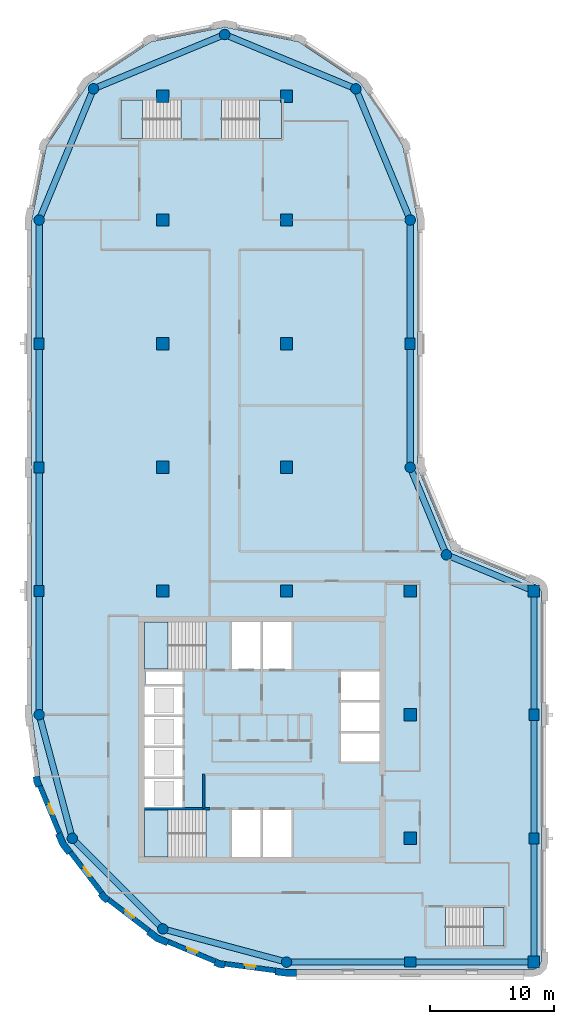
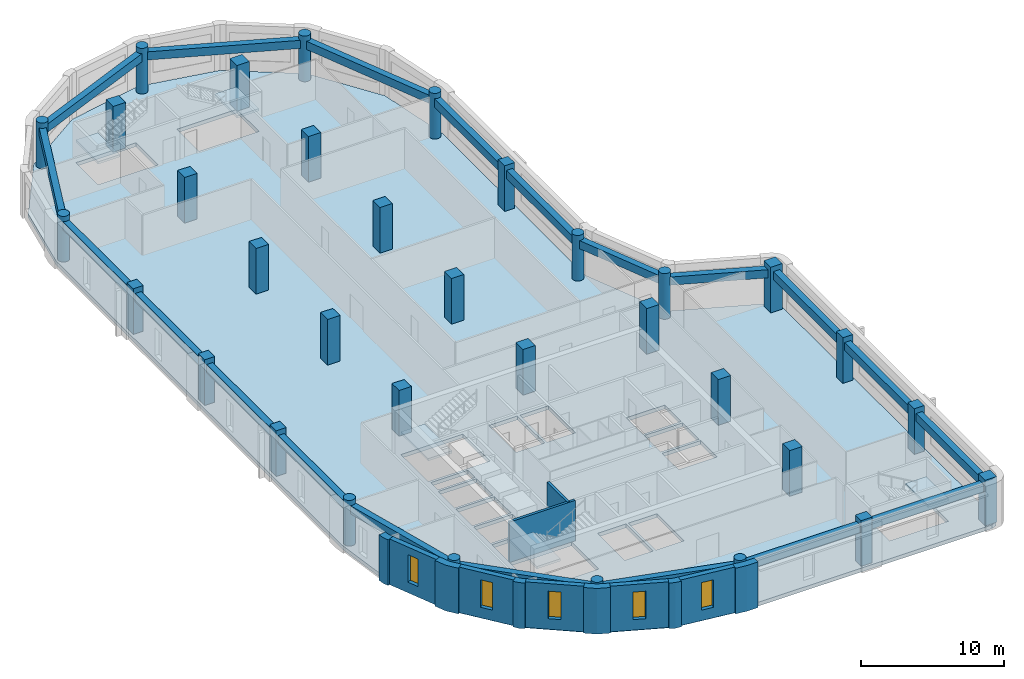
# One storey, part 1 of 8: 33 columns, 20 beams, 13 walls, 6 slabs, 5 windows, 5 openings, 5 elements without a shape of their own.
"""IFC4 building model written with IfcOpenShell, lengths in metres."""

from ifc_helpers import new_model, si_unit, direction, frame, frame_2d, origin, origin_2d, place, context, subcontext, project, spatial, polyline, rectangle, circle, outline, extrude, material, layer, layer_set, material_profile, profile_set, type_object, element, fill, aggregate, save


model = new_model("IFC4")

# Units and contexts
model_context = context("Model", 3, precision=1e-05, world=origin(), true_north=direction((0.0, 1.0)))
body_context = subcontext(model_context, "Body", "Model", "MODEL_VIEW")
ifc_project = project(units=[si_unit("LENGTHUNIT", "METRE"), si_unit("AREAUNIT", "SQUARE_METRE"), si_unit("VOLUMEUNIT", "CUBIC_METRE"), si_unit("PLANEANGLEUNIT", "RADIAN"), si_unit("MASSUNIT", "GRAM", prefix="KILO")], contexts=[model_context])

# Site, building, storey
site_placement = place(None, origin())
site = spatial("IfcSite", under=ifc_project, at=site_placement, CompositionType="ELEMENT")
building_placement = place(site_placement, origin())
building = spatial("IfcBuilding", under=site, at=building_placement, Name="Qaws Garden Tower", CompositionType="ELEMENT")
storey_placement = place(building_placement, frame((0.0, 0.0, 348.89990234375)))
storey = spatial("IfcBuildingStorey", under=building, at=storey_placement, Name="L85", CompositionType="ELEMENT", Elevation=348.89990234375)

# Columns
ifc_material_1 = material(Name="Concrete C60", Category="concrete")
ifc_material_profile_1 = material_profile(ifc_material_1, rectangle(XDim=1.0, YDim=1.0, at=origin_2d()), Name="RC 1000x1000")
ifc_profile_set_1 = profile_set([ifc_material_profile_1], Name="Concrete C60")
column_type_1 = type_object("IfcColumnType", Name="Column RC 1000x1000 C60", PredefinedType="COLUMN", material=ifc_profile_set_1)
for number, where, z_axis, x_axis, name in (
    (1, (10.0, 30.0, 0.0), (0.0, 0.0, 1.0), (1.0, 0.0, 0.0), "Column L85-021"),
    (2, (10.0, 40.0, 0.0), (0.0, 0.0, 1.0), (1.0, 0.0, 0.0), "Column L85-022"),
    (3, (10.0, 50.0, 0.0), (0.0, 0.0, 1.0), (1.0, 0.0, 0.0), "Column L85-023"),
    (4, (10.0, 60.0, 0.0), (0.0, 0.0, 1.0), (1.0, 0.0, 0.0), "Column L85-024"),
    (5, (10.0, 70.0, 0.0), (0.0, 0.0, 1.0), (1.0, 0.0, 0.0), "Column L85-025"),
    (6, (20.0, 30.0, 0.0), (0.0, 0.0, 1.0), (1.0, 0.0, 0.0), "Column L85-026"),
    (7, (20.0, 40.0, 0.0), (0.0, 0.0, 1.0), (1.0, 0.0, 0.0), "Column L85-027"),
    (8, (20.0, 50.0, 0.0), (0.0, 0.0, 1.0), (1.0, 0.0, 0.0), "Column L85-028"),
    (9, (20.0, 60.0, 0.0), (0.0, 0.0, 1.0), (1.0, 0.0, 0.0), "Column L85-029"),
    (10, (20.0, 70.0, 0.0), (0.0, 0.0, 1.0), (1.0, 0.0, 0.0), "Column L85-030"),
    (11, (30.0, 10.0, 0.0), (0.0, 0.0, 1.0), (1.0, 0.0, 0.0), "Column L85-031"),
    (12, (30.0, 20.0, 0.0), (0.0, 0.0, 1.0), (1.0, 0.0, 0.0), "Column L85-032"),
    (13, (30.0, 30.0, 0.0), (0.0, 0.0, 1.0), (1.0, 0.0, 0.0), "Column L85-033"),
):
    element("IfcColumn", number, at=place(storey_placement, frame(where, z_axis=z_axis, x_axis=x_axis)), inside=storey, type_object=column_type_1, Name=name, PredefinedType="COLUMN", context=body_context, shape_type="SweptSolid", body=[
        extrude(rectangle(XDim=1.0, YDim=1.0, at=origin_2d()), origin(), (0.0, 0.0, 1.0), 3.900146484375),
    ])
ifc_material_2 = material(Name="Concrete C60", Category="concrete")
ifc_material_profile_2 = material_profile(ifc_material_2, rectangle(XDim=0.89990234375, YDim=0.800048828125, at=origin_2d()), Name="RC 900x800")
ifc_profile_set_2 = profile_set([ifc_material_profile_2], Name="Concrete C60")
column_type_2 = type_object("IfcColumnType", Name="Column RC 900x800 C60", PredefinedType="COLUMN", material=ifc_profile_set_2)
for number, where, z_axis, x_axis, name in (
    (14, (30.0, 0.0, 0.0), (0.0, 0.0, 1.0), (1.0, 0.0, 0.0), "Column L85-002"),
    (15, (40.0, 10.0, 0.0), (0.0, 0.0, 1.0), (0.0, 1.0, 0.0), "Column L85-004"),
    (16, (40.0, 20.0, 0.0), (0.0, 0.0, 1.0), (0.0, 1.0, 0.0), "Column L85-005"),
    (17, (30.0, 50.0, 0.0), (0.0, 0.0, 1.0), (0.0, 1.0, 0.0), "Column L85-009"),
    (18, (0.0, 50.0, 0.0), (0.0, 0.0, 1.0), (0.0, 1.0, 0.0), "Column L85-015"),
    (19, (0.0, 40.0, 0.0), (0.0, 0.0, 1.0), (0.0, 1.0, 0.0), "Column L85-016"),
    (20, (0.0, 30.0, 0.0), (0.0, 0.0, 1.0), (0.0, 1.0, 0.0), "Column L85-017"),
):
    element("IfcColumn", number, at=place(storey_placement, frame(where, z_axis=z_axis, x_axis=x_axis)), inside=storey, type_object=column_type_2, Name=name, PredefinedType="COLUMN", context=body_context, shape_type="SweptSolid", body=[
        extrude(rectangle(XDim=0.89990234375, YDim=0.800048828125, at=origin_2d()), origin(), (0.0, 0.0, 1.0), 3.900146484375),
    ])
ifc_material_3 = material(Name="Concrete C60", Category="concrete")
ifc_material_profile_3 = material_profile(ifc_material_3, rectangle(XDim=0.949951171875, YDim=0.949951171875, at=origin_2d()), Name="RC 950x950")
ifc_profile_set_3 = profile_set([ifc_material_profile_3], Name="Concrete C60")
column_type_3 = type_object("IfcColumnType", Name="Column RC 950x950 C60", PredefinedType="COLUMN", material=ifc_profile_set_3)
for number, where, z_axis, x_axis, name in (
    (21, (40.0, 0.0, 0.0), (0.0, 0.0, 1.0), (1.0, 0.0, 0.0), "Column L85-003"),
    (22, (40.0, 30.0, 0.0), (0.0, 0.0, 1.0), (1.0, 0.0, 0.0), "Column L85-006"),
):
    element("IfcColumn", number, at=place(storey_placement, frame(where, z_axis=z_axis, x_axis=x_axis)), inside=storey, type_object=column_type_3, Name=name, PredefinedType="COLUMN", context=body_context, shape_type="SweptSolid", body=[
        extrude(rectangle(XDim=0.949951171875, YDim=0.949951171875, at=origin_2d()), origin(), (0.0, 0.0, 1.0), 3.900146484375),
    ])
ifc_material_4 = material(Name="Concrete C60", Category="concrete")
ifc_material_profile_4 = material_profile(ifc_material_4, circle(Radius=0.425048828125, at=origin_2d()), Name="RC D850")
ifc_profile_set_4 = profile_set([ifc_material_profile_4], Name="Concrete C60")
column_type_4 = type_object("IfcColumnType", Name="Column RC D850 C60", PredefinedType="COLUMN", material=ifc_profile_set_4)
for number, where, z_axis, x_axis, name in (
    (23, (20.0, 0.0, 0.0), (0.0, 0.0, 1.0), (1.0, 0.0, 0.0), "Column L85-001"),
    (24, (32.928955078125, 32.928955078125, 0.0), (0.0, 0.0, 1.0), (1.0, 0.0, 0.0), "Column L85-007"),
    (25, (30.0, 40.0, 0.0), (0.0, 0.0, 1.0), (1.0, 0.0, 0.0), "Column L85-008"),
    (26, (30.0, 60.0, 0.0), (0.0, 0.0, 1.0), (1.0, 0.0, 0.0), "Column L85-010"),
    (27, (25.606689453125, 70.606689453125, 0.0), (0.0, 0.0, 1.0), (1.0, 0.0, 0.0), "Column L85-011"),
    (28, (15.0, 75.0, 0.0), (0.0, 0.0, 1.0), (1.0, 0.0, 0.0), "Column L85-012"),
    (29, (4.393310546875, 70.606689453125, 0.0), (0.0, 0.0, 1.0), (1.0, 0.0, 0.0), "Column L85-013"),
    (30, (0.0, 60.0, 0.0), (0.0, 0.0, 1.0), (1.0, 0.0, 0.0), "Column L85-014"),
    (31, (0.0, 20.0, 0.0), (0.0, 0.0, 1.0), (1.0, 0.0, 0.0), "Column L85-018"),
    (32, (2.679443359375, 10.0, 0.0), (0.0, 0.0, 1.0), (1.0, 0.0, 0.0), "Column L85-019"),
    (33, (10.0, 2.679443359375, 0.0), (0.0, 0.0, 1.0), (1.0, 0.0, 0.0), "Column L85-020"),
):
    element("IfcColumn", number, at=place(storey_placement, frame(where, z_axis=z_axis, x_axis=x_axis)), inside=storey, type_object=column_type_4, Name=name, PredefinedType="COLUMN", context=body_context, shape_type="SweptSolid", body=[
        extrude(circle(Radius=0.425048828125, at=origin_2d()), origin(), (0.0, 0.0, 1.0), 3.900146484375),
    ])

# Beams
ifc_material_5 = material(Name="Concrete C45", Category="concrete")
ifc_material_profile_5 = material_profile(ifc_material_5, rectangle(XDim=0.5, YDim=0.699951171875, at=origin_2d()), Name="RC 500x700")
ifc_profile_set_5 = profile_set([ifc_material_profile_5], Name="Concrete C45")
beam_type = type_object("IfcBeamType", Name="Spandrel beam RC 500x700 C45", PredefinedType="SPANDREL", material=ifc_profile_set_5)
for number, where, z_axis, x_axis, name in (
    (34, (20.0, 0.0, 3.10009765625), (1.0, 0.0, 0.0), (0.0, 1.0, 0.0), "Spandrel beam L85-001"),
    (35, (30.0, 0.0, 3.10009765625), (1.0, 0.0, 0.0), (0.0, 1.0, 0.0), "Spandrel beam L85-002"),
    (36, (40.0, 0.0, 3.10009765625), (0.0, 1.0, 0.0), (-1.0, 0.0, 0.0), "Spandrel beam L85-003"),
    (37, (40.0, 10.0, 3.10009765625), (0.0, 1.0, 0.0), (-1.0, 0.0, 0.0), "Spandrel beam L85-004"),
    (38, (40.0, 20.0, 3.10009765625), (0.0, 1.0, 0.0), (-1.0, 0.0, 0.0), "Spandrel beam L85-005"),
):
    element("IfcBeam", number, at=place(storey_placement, frame(where, z_axis=z_axis, x_axis=x_axis)), inside=storey, type_object=beam_type, Name=name, PredefinedType="SPANDREL", context=body_context, shape_type="SweptSolid", body=[
        extrude(rectangle(XDim=0.5, YDim=0.699951171875, at=origin_2d()), origin(), (0.0, 0.0, 1.0), 10.0),
    ])
for number, where, z_axis, x_axis, name in (
    (39, (40.0, 30.0, 3.10009765625), (-0.923878037141, 0.382687042488, 0.0), (-0.382687042488, -0.923878037141, 0.0), "Spandrel beam L85-006"),
    (40, (32.928955078125, 32.928955078125, 3.10009765625), (-0.382687042488, 0.923878037141, 0.0), (-0.923878037141, -0.382687042488, 0.0), "Spandrel beam L85-007"),
):
    element("IfcBeam", number, at=place(storey_placement, frame(where, z_axis=z_axis, x_axis=x_axis)), inside=storey, type_object=beam_type, Name=name, PredefinedType="SPANDREL", context=body_context, shape_type="SweptSolid", body=[
        extrude(rectangle(XDim=0.5, YDim=0.699951171875, at=origin_2d()), origin(), (0.0, 0.0, 1.0), 7.653564453125),
    ])
for number, where, z_axis, x_axis, name in (
    (41, (30.0, 40.0, 3.10009765625), (0.0, 1.0, 0.0), (-1.0, 0.0, 0.0), "Spandrel beam L85-008"),
    (42, (30.0, 50.0, 3.10009765625), (0.0, 1.0, 0.0), (-1.0, 0.0, 0.0), "Spandrel beam L85-009"),
):
    element("IfcBeam", number, at=place(storey_placement, frame(where, z_axis=z_axis, x_axis=x_axis)), inside=storey, type_object=beam_type, Name=name, PredefinedType="SPANDREL", context=body_context, shape_type="SweptSolid", body=[
        extrude(rectangle(XDim=0.5, YDim=0.699951171875, at=origin_2d()), origin(), (0.0, 0.0, 1.0), 10.0),
    ])
for number, where, z_axis, x_axis, name in (
    (43, (30.0, 60.0, 3.10009765625), (-0.382674207535, 0.923883353507, 0.0), (-0.923883353507, -0.382674207535, 0.0), "Spandrel beam L85-010"),
    (44, (25.606689453125, 70.606689453125, 3.10009765625), (-0.923883353507, 0.382674207535, 0.0), (-0.382674207535, -0.923883353507, 0.0), "Spandrel beam L85-011"),
    (45, (15.0, 75.0, 3.10009765625), (-0.923883353507, -0.382674207535, 0.0), (0.382674207535, -0.923883353507, 0.0), "Spandrel beam L85-012"),
    (46, (4.393310546875, 70.606689453125, 3.10009765625), (-0.382674207535, -0.923883353507, 0.0), (0.923883353507, -0.382674207535, 0.0), "Spandrel beam L85-013"),
):
    element("IfcBeam", number, at=place(storey_placement, frame(where, z_axis=z_axis, x_axis=x_axis)), inside=storey, type_object=beam_type, Name=name, PredefinedType="SPANDREL", context=body_context, shape_type="SweptSolid", body=[
        extrude(rectangle(XDim=0.5, YDim=0.699951171875, at=origin_2d()), origin(), (0.0, 0.0, 1.0), 11.48046875),
    ])
for number, where, z_axis, x_axis, name in (
    (47, (0.0, 60.0, 3.10009765625), (0.0, -1.0, 0.0), (1.0, 0.0, 0.0), "Spandrel beam L85-014"),
    (48, (0.0, 50.0, 3.10009765625), (0.0, -1.0, 0.0), (1.0, 0.0, 0.0), "Spandrel beam L85-015"),
    (49, (0.0, 40.0, 3.10009765625), (0.0, -1.0, 0.0), (1.0, 0.0, 0.0), "Spandrel beam L85-016"),
    (50, (0.0, 30.0, 3.10009765625), (0.0, -1.0, 0.0), (1.0, 0.0, 0.0), "Spandrel beam L85-017"),
):
    element("IfcBeam", number, at=place(storey_placement, frame(where, z_axis=z_axis, x_axis=x_axis)), inside=storey, type_object=beam_type, Name=name, PredefinedType="SPANDREL", context=body_context, shape_type="SweptSolid", body=[
        extrude(rectangle(XDim=0.5, YDim=0.699951171875, at=origin_2d()), origin(), (0.0, 0.0, 1.0), 10.0),
    ])
for number, where, z_axis, x_axis, name in (
    (51, (0.0, 20.0, 3.10009765625), (0.25881466832, -0.965926999034, 0.0), (0.965926999034, 0.25881466832, 0.0), "Spandrel beam L85-018"),
    (52, (2.679443359375, 10.0, 3.10009765625), (0.707106781187, -0.707106781187, 0.0), (0.707106781187, 0.707106781187, 0.0), "Spandrel beam L85-019"),
    (53, (10.0, 2.679443359375, 3.10009765625), (0.965926999034, -0.25881466832, 0.0), (0.25881466832, 0.965926999034, 0.0), "Spandrel beam L85-020"),
):
    element("IfcBeam", number, at=place(storey_placement, frame(where, z_axis=z_axis, x_axis=x_axis)), inside=storey, type_object=beam_type, Name=name, PredefinedType="SPANDREL", context=body_context, shape_type="SweptSolid", body=[
        extrude(rectangle(XDim=0.5, YDim=0.699951171875, at=origin_2d()), origin(), (0.0, 0.0, 1.0), 10.352783203125),
    ])

# Slab
ifc_material_6 = material(Name="Concrete C40", Category="concrete")
ifc_layer_1 = layer(ifc_material_6, 0.320068359375)
ifc_layer_set_1 = layer_set([ifc_layer_1], Name="Concrete C40")
slab_type_1 = type_object("IfcSlabType", Name="Floor slab 320 C40", PredefinedType="FLOOR", material=ifc_layer_set_1)
slab_1_placement = place(storey_placement, frame((0.0, 0.0, -0.31982421875)))
element("IfcSlab", 54, at=slab_1_placement, inside=storey, type_object=slab_type_1, Name="Floor slab L85", PredefinedType="FLOOR", context=body_context, shape_type="SweptSolid", body=[
    extrude(outline(polyline([(0.101806640625, 14.668212890625), (-0.60009765625, 20.0), (-0.60009765625, 30.60009765625), (-0.60009765625, 60.0), (-0.60009765625, 60.0), (0.58740234375, 65.969970703125), (3.968994140625, 71.031005859375), (9.030029296875, 74.41259765625), (15.0, 75.60009765625), (20.969970703125, 74.41259765625), (26.031005859375, 71.031005859375), (29.41259765625, 65.969970703125), (30.60009765625, 60.0), (30.60009765625, 40.0), (33.353271484375, 33.353271484375), (40.0, 30.60009765625), (40.42431640625, 30.42431640625), (40.60009765625, 30.0), (40.60009765625, 0.0), (40.42431640625, -0.42431640625), (40.0, -0.60009765625), (30.60009765625, -0.60009765625), (20.0, -0.60009765625), (14.668212890625, 0.101806640625), (9.699951171875, 2.159912109375), (5.43359375, 5.43359375), (2.159912109375, 9.699951171875), (0.101806640625, 14.668212890625)]), holes=[polyline([(13.49951171875, 12.300048828125), (8.5, 12.300048828125), (8.5, 8.5), (13.49951171875, 8.5), (13.49951171875, 12.300048828125)]), polyline([(17.89990234375, 12.300048828125), (15.60009765625, 12.300048828125), (15.60009765625, 8.5), (17.89990234375, 8.5), (17.89990234375, 12.300048828125)]), polyline([(11.60009765625, 14.800048828125), (8.5, 14.800048828125), (8.5, 12.5), (11.60009765625, 12.5), (11.60009765625, 14.800048828125)]), polyline([(11.60009765625, 17.300048828125), (8.5, 17.300048828125), (8.5, 15.0), (11.60009765625, 15.0), (11.60009765625, 17.300048828125)]), polyline([(11.60009765625, 19.800048828125), (8.5, 19.800048828125), (8.5, 17.5), (11.60009765625, 17.5), (11.60009765625, 19.800048828125)]), polyline([(11.60009765625, 22.300048828125), (8.5, 22.300048828125), (8.5, 20.0), (11.60009765625, 20.0), (11.60009765625, 22.300048828125)]), polyline([(11.60009765625, 23.5), (8.60009765625, 23.5), (8.60009765625, 22.5), (11.60009765625, 22.5), (11.60009765625, 23.5)]), polyline([(13.49951171875, 27.5), (8.5, 27.5), (8.5, 23.699951171875), (13.49951171875, 23.699951171875), (13.49951171875, 27.5)]), polyline([(11.449462890625, 69.699951171875), (6.60009765625, 69.699951171875), (6.60009765625, 66.60009765625), (11.449462890625, 66.60009765625), (11.449462890625, 69.699951171875)]), polyline([(37.60009765625, 4.39990234375), (32.8505859375, 4.39990234375), (32.8505859375, 1.300048828125), (37.60009765625, 1.300048828125), (37.60009765625, 4.39990234375)]), polyline([(20.39990234375, 12.300048828125), (18.10009765625, 12.300048828125), (18.10009765625, 8.5), (20.39990234375, 8.5), (20.39990234375, 12.300048828125)]), polyline([(27.5, 18.5), (24.39990234375, 18.5), (24.39990234375, 16.199951171875), (27.5, 16.199951171875), (27.5, 18.5)]), polyline([(27.5, 21.0), (24.39990234375, 21.0), (24.39990234375, 18.699951171875), (27.5, 18.699951171875), (27.5, 21.0)]), polyline([(27.5, 23.5), (24.39990234375, 23.5), (24.39990234375, 21.199951171875), (27.5, 21.199951171875), (27.5, 23.5)]), polyline([(17.89990234375, 27.5), (15.60009765625, 27.5), (15.60009765625, 23.699951171875), (17.89990234375, 23.699951171875), (17.89990234375, 27.5)]), polyline([(20.39990234375, 23.699951171875), (20.39990234375, 27.5), (18.10009765625, 27.5), (18.10009765625, 23.699951171875), (20.39990234375, 23.699951171875)]), polyline([(19.60009765625, 66.60009765625), (19.60009765625, 69.699951171875), (14.75048828125, 69.699951171875), (14.75048828125, 66.60009765625), (19.60009765625, 66.60009765625)])]), origin(), (0.0, 0.0, 1.0), 0.31982421875),
])

# Stair, slab
ifc_material_7 = material(Name="Concrete C40", Category="concrete")
stair_type_1 = type_object("IfcStairType", Name="Exit stair 1500", PredefinedType="HALF_TURN_STAIR", material=ifc_material_7)
placement_1 = place(storey_placement, origin())
stair_1 = element("IfcStair", 55, at=placement_1, inside=storey, type_object=stair_type_1, Name="Stair 1", PredefinedType="HALF_TURN_STAIR")
ifc_material_8 = material(Name="Concrete C40", Category="concrete")
ifc_layer_2 = layer(ifc_material_8, 0.199951171875)
ifc_layer_set_2 = layer_set([ifc_layer_2], Name="Concrete C40")
slab_type_2 = type_object("IfcSlabType", Name="Stair landing 200", PredefinedType="LANDING", material=ifc_layer_set_2)
placement_2 = place(storey_placement, frame((0.0, 0.0, 1.75)))
slab_2 = element("IfcSlab", 56, at=placement_2, type_object=slab_type_2, Name="ST1 landing 1", PredefinedType="LANDING", context=body_context, shape_type="SweptSolid", body=[
    extrude(outline(polyline([(8.5, 8.5), (10.419921875, 8.5), (10.419921875, 12.300048828125), (8.5, 12.300048828125), (8.5, 8.5)])), origin(), (0.0, 0.0, 1.0), 0.2001953125),
])
aggregate(stair_1, [slab_2])

stair_2 = element("IfcStair", 57, at=placement_1, inside=storey, type_object=stair_type_1, Name="Stair 4", PredefinedType="HALF_TURN_STAIR")
slab_3 = element("IfcSlab", 58, at=placement_2, type_object=slab_type_2, Name="ST4 landing 1", PredefinedType="LANDING", context=body_context, shape_type="SweptSolid", body=[
    extrude(outline(polyline([(8.5, 23.699951171875), (10.419921875, 23.699951171875), (10.419921875, 27.5), (8.5, 27.5), (8.5, 23.699951171875)])), origin(), (0.0, 0.0, 1.0), 0.2001953125),
])
aggregate(stair_2, [slab_3])

ifc_material_9 = material(Name="Concrete C40", Category="concrete")
stair_type_2 = type_object("IfcStairType", Name="Exit stair 1350", PredefinedType="HALF_TURN_STAIR", material=ifc_material_9)
stair_3 = element("IfcStair", 59, at=placement_1, inside=storey, type_object=stair_type_2, Name="Stair 5", PredefinedType="HALF_TURN_STAIR")
slab_4 = element("IfcSlab", 60, at=placement_2, type_object=slab_type_2, Name="ST5 landing 1", PredefinedType="LANDING", context=body_context, shape_type="SweptSolid", body=[
    extrude(outline(polyline([(35.929931640625, 1.300048828125), (37.60009765625, 1.300048828125), (37.60009765625, 4.39990234375), (35.929931640625, 4.39990234375), (35.929931640625, 1.300048828125)])), origin(), (0.0, 0.0, 1.0), 0.2001953125),
])
aggregate(stair_3, [slab_4])

stair_4 = element("IfcStair", 61, at=placement_1, inside=storey, type_object=stair_type_2, Name="Stair 6", PredefinedType="HALF_TURN_STAIR")
slab_5 = element("IfcSlab", 62, at=placement_2, type_object=slab_type_2, Name="ST6 landing 1", PredefinedType="LANDING", context=body_context, shape_type="SweptSolid", body=[
    extrude(outline(polyline([(6.60009765625, 66.60009765625), (8.3701171875, 66.60009765625), (8.3701171875, 69.699951171875), (6.60009765625, 69.699951171875), (6.60009765625, 66.60009765625)])), origin(), (0.0, 0.0, 1.0), 0.2001953125),
])
aggregate(stair_4, [slab_5])

stair_5 = element("IfcStair", 63, at=placement_1, inside=storey, type_object=stair_type_2, Name="Stair 7", PredefinedType="HALF_TURN_STAIR")
slab_6 = element("IfcSlab", 64, at=placement_2, type_object=slab_type_2, Name="ST7 landing 1", PredefinedType="LANDING", context=body_context, shape_type="SweptSolid", body=[
    extrude(outline(polyline([(17.830078125, 66.60009765625), (19.60009765625, 66.60009765625), (19.60009765625, 69.699951171875), (17.830078125, 69.699951171875), (17.830078125, 66.60009765625)])), origin(), (0.0, 0.0, 1.0), 0.2001953125),
])
aggregate(stair_5, [slab_6])

# Wall, opening, window
ifc_material_10 = material(Name="Buff clay facing brick masonry", Category="masonry")
ifc_layer_3 = layer(ifc_material_10, 0.39990234375)
ifc_layer_set_3 = layer_set([ifc_layer_3], Name="Buff clay facing brick masonry")
wall_type_1 = type_object("IfcWallType", Name="Buff brick infill wall 400", PredefinedType="SOLIDWALL", material=ifc_layer_set_3)
wall_1_placement = place(storey_placement, frame((0.05712890625, 14.240234375, 0.0), z_axis=(0.0, 0.0, 1.0), x_axis=(0.382721546029, -0.923863744394, 0.0)))
wall_1 = element("IfcWall", 65, at=wall_1_placement, inside=storey, type_object=wall_type_1, Name="E-L85-infill-22", PredefinedType="SOLIDWALL", context=body_context, shape_type="SweptSolid", body=[
    extrude(rectangle(XDim=4.120849609375, YDim=0.39990234375, at=frame_2d((2.060546875, 0.0))), origin(), (0.0, 0.0, 1.0), 3.900146484375),
])
opening_1_placement = place(wall_1_placement, frame((1.610595703125, 0.0, 0.89990234375)))
opening_1 = element("IfcOpeningElement", 66, at=opening_1_placement, cuts=wall_1, Name="Opening W09", PredefinedType="OPENING", context=body_context, shape_type="SweptSolid", body=[
    extrude(rectangle(XDim=0.89990234375, YDim=2.35009765625, at=frame_2d((0.449951171875, 1.175048828125))), frame((0.0, 0.2099609375, 0.0), z_axis=(0.0, -1.0, 0.0), x_axis=(1.0, 0.0, 0.0)), (0.0, 0.0, 1.0), 0.419921875),
])
ifc_material_11 = material(Name="Aluminium framed window, clear glazing", Category="aluminium")
window_type = type_object("IfcWindowType", Name="Slit window 900 x 2350", PartitioningType="SINGLE_PANEL", PredefinedType="WINDOW", material=ifc_material_11)
window_1_placement = place(opening_1_placement, origin())
window_1 = element("IfcWindow", 67, at=window_1_placement, inside=storey, type_object=window_type, Name="E-L85-window-22-0", OverallHeight=2.35009765625, OverallWidth=0.89990234375, PartitioningType="SINGLE_PANEL", PredefinedType="WINDOW", context=body_context, shape_type="SweptSolid", body=[
    extrude(rectangle(XDim=0.89990234375, YDim=2.35009765625, at=frame_2d((0.449951171875, 1.175048828125))), frame((0.0, 0.159912109375, 0.0), z_axis=(0.0, -1.0, 0.0), x_axis=(1.0, 0.0, 0.0)), (0.0, 0.0, 1.0), 0.06005859375),
])
fill(opening_1, window_1)

wall_2_placement = place(storey_placement, frame((2.53173828125, 8.87841796875, 0.0), z_axis=(0.0, 0.0, 1.0), x_axis=(0.608759824817, -0.793354571229, 0.0)))
wall_2 = element("IfcWall", 68, at=wall_2_placement, inside=storey, type_object=wall_type_1, Name="E-L85-infill-23", PredefinedType="SOLIDWALL", context=body_context, shape_type="SweptSolid", body=[
    extrude(rectangle(XDim=4.12109375, YDim=0.39990234375, at=frame_2d((2.060546875, 0.0))), origin(), (0.0, 0.0, 1.0), 3.900146484375),
])
opening_2_placement = place(wall_2_placement, frame((1.610595703125, 0.0, 0.89990234375)))
opening_2 = element("IfcOpeningElement", 69, at=opening_2_placement, cuts=wall_2, Name="Opening W09", PredefinedType="OPENING", context=body_context, shape_type="SweptSolid", body=[
    extrude(rectangle(XDim=0.89990234375, YDim=2.35009765625, at=frame_2d((0.449951171875, 1.175048828125))), frame((0.0, 0.2099609375, 0.0), z_axis=(0.0, -1.0, 0.0), x_axis=(1.0, 0.0, 0.0)), (0.0, 0.0, 1.0), 0.419921875),
])
window_2_placement = place(opening_2_placement, origin())
window_2 = element("IfcWindow", 70, at=window_2_placement, inside=storey, type_object=window_type, Name="E-L85-window-23-0", OverallHeight=2.35009765625, OverallWidth=0.89990234375, PartitioningType="SINGLE_PANEL", PredefinedType="WINDOW", context=body_context, shape_type="SweptSolid", body=[
    extrude(rectangle(XDim=0.89990234375, YDim=2.35009765625, at=frame_2d((0.449951171875, 1.175048828125))), frame((0.0, 0.159912109375, 0.0), z_axis=(0.0, -1.0, 0.0), x_axis=(1.0, 0.0, 0.0)), (0.0, 0.0, 1.0), 0.06005859375),
])
fill(opening_2, window_2)

wall_3_placement = place(storey_placement, frame((5.60888671875, 5.04052734375, 0.0), z_axis=(0.0, 0.0, 1.0), x_axis=(0.793354571229, -0.608759824817, 0.0)))
wall_3 = element("IfcWall", 71, at=wall_3_placement, inside=storey, type_object=wall_type_1, Name="E-L85-infill-24", PredefinedType="SOLIDWALL", context=body_context, shape_type="SweptSolid", body=[
    extrude(rectangle(XDim=4.12109375, YDim=0.39990234375, at=frame_2d((2.060546875, 0.0))), origin(), (0.0, 0.0, 1.0), 3.900146484375),
])
opening_3_placement = place(wall_3_placement, frame((1.610595703125, 0.0, 0.89990234375)))
opening_3 = element("IfcOpeningElement", 72, at=opening_3_placement, cuts=wall_3, Name="Opening W09", PredefinedType="OPENING", context=body_context, shape_type="SweptSolid", body=[
    extrude(rectangle(XDim=0.89990234375, YDim=2.35009765625, at=frame_2d((0.449951171875, 1.175048828125))), frame((0.0, 0.2099609375, 0.0), z_axis=(0.0, -1.0, 0.0), x_axis=(1.0, 0.0, 0.0)), (0.0, 0.0, 1.0), 0.419921875),
])
window_3_placement = place(opening_3_placement, origin())
window_3 = element("IfcWindow", 73, at=window_3_placement, inside=storey, type_object=window_type, Name="E-L85-window-24-0", OverallHeight=2.35009765625, OverallWidth=0.89990234375, PartitioningType="SINGLE_PANEL", PredefinedType="WINDOW", context=body_context, shape_type="SweptSolid", body=[
    extrude(rectangle(XDim=0.89990234375, YDim=2.35009765625, at=frame_2d((0.449951171875, 1.175048828125))), frame((0.0, 0.159912109375, 0.0), z_axis=(0.0, -1.0, 0.0), x_axis=(1.0, 0.0, 0.0)), (0.0, 0.0, 1.0), 0.06005859375),
])
fill(opening_3, window_3)

wall_4_placement = place(storey_placement, frame((10.43310546875, 1.63427734375, 0.0), z_axis=(0.0, 0.0, 1.0), x_axis=(0.923863744394, -0.382721546029, 0.0)))
wall_4 = element("IfcWall", 74, at=wall_4_placement, inside=storey, type_object=wall_type_1, Name="E-L85-infill-25", PredefinedType="SOLIDWALL", context=body_context, shape_type="SweptSolid", body=[
    extrude(rectangle(XDim=4.120849609375, YDim=0.39990234375, at=frame_2d((2.060546875, 0.0))), origin(), (0.0, 0.0, 1.0), 3.900146484375),
])
opening_4_placement = place(wall_4_placement, frame((1.610595703125, 0.0, 0.89990234375)))
opening_4 = element("IfcOpeningElement", 75, at=opening_4_placement, cuts=wall_4, Name="Opening W09", PredefinedType="OPENING", context=body_context, shape_type="SweptSolid", body=[
    extrude(rectangle(XDim=0.89990234375, YDim=2.35009765625, at=frame_2d((0.449951171875, 1.175048828125))), frame((0.0, 0.2099609375, 0.0), z_axis=(0.0, -1.0, 0.0), x_axis=(1.0, 0.0, 0.0)), (0.0, 0.0, 1.0), 0.419921875),
])
window_4_placement = place(opening_4_placement, origin())
window_4 = element("IfcWindow", 76, at=window_4_placement, inside=storey, type_object=window_type, Name="E-L85-window-25-0", OverallHeight=2.35009765625, OverallWidth=0.89990234375, PartitioningType="SINGLE_PANEL", PredefinedType="WINDOW", context=body_context, shape_type="SweptSolid", body=[
    extrude(rectangle(XDim=0.89990234375, YDim=2.35009765625, at=frame_2d((0.449951171875, 1.175048828125))), frame((0.0, 0.159912109375, 0.0), z_axis=(0.0, -1.0, 0.0), x_axis=(1.0, 0.0, 0.0)), (0.0, 0.0, 1.0), 0.06005859375),
])
fill(opening_4, window_4)

wall_5_placement = place(storey_placement, frame((15.0166015625, -0.15087890625, 0.0), z_axis=(0.0, 0.0, 1.0), x_axis=(0.991446429508, -0.130514280502, 0.0)))
wall_5 = element("IfcWall", 77, at=wall_5_placement, inside=storey, type_object=wall_type_1, Name="E-L85-infill-26", PredefinedType="SOLIDWALL", context=body_context, shape_type="SweptSolid", body=[
    extrude(rectangle(XDim=4.120849609375, YDim=0.39990234375, at=frame_2d((2.060546875, 0.0))), origin(), (0.0, 0.0, 1.0), 3.900146484375),
])
opening_5_placement = place(wall_5_placement, frame((1.610595703125, 0.0, 0.89990234375)))
opening_5 = element("IfcOpeningElement", 78, at=opening_5_placement, cuts=wall_5, Name="Opening W09", PredefinedType="OPENING", context=body_context, shape_type="SweptSolid", body=[
    extrude(rectangle(XDim=0.89990234375, YDim=2.35009765625, at=frame_2d((0.449951171875, 1.175048828125))), frame((0.0, 0.2099609375, 0.0), z_axis=(0.0, -1.0, 0.0), x_axis=(1.0, 0.0, 0.0)), (0.0, 0.0, 1.0), 0.419921875),
])
window_5_placement = place(opening_5_placement, origin())
window_5 = element("IfcWindow", 79, at=window_5_placement, inside=storey, type_object=window_type, Name="E-L85-window-26-0", OverallHeight=2.35009765625, OverallWidth=0.89990234375, PartitioningType="SINGLE_PANEL", PredefinedType="WINDOW", context=body_context, shape_type="SweptSolid", body=[
    extrude(rectangle(XDim=0.89990234375, YDim=2.35009765625, at=frame_2d((0.449951171875, 1.175048828125))), frame((0.0, 0.159912109375, 0.0), z_axis=(0.0, -1.0, 0.0), x_axis=(1.0, 0.0, 0.0)), (0.0, 0.0, 1.0), 0.06005859375),
])
fill(opening_5, window_5)

# Walls
ifc_material_12 = material(Name="Buff clay facing brick masonry", Category="masonry")
ifc_layer_4 = layer(ifc_material_12, 0.550048828125)
ifc_layer_set_4 = layer_set([ifc_layer_4], Name="Buff clay facing brick masonry")
wall_type_2 = type_object("IfcWallType", Name="Buff brick kink pier 550 x 600", PredefinedType="SOLIDWALL", material=ifc_layer_set_4)
element("IfcWall", 80, at=placement_1, inside=storey, type_object=wall_type_2, Name="E-L85-pier-22", PredefinedType="SOLIDWALL", context=body_context, shape_type="SweptSolid", body=[
    extrude(outline(polyline([(-0.34912109375, 14.990478515625), (-0.497802734375, 14.970947265625), (-0.43896484375, 14.5234375), (-0.26611328125, 14.1064453125), (-0.127685546875, 14.163818359375), (0.241943359375, 14.31689453125), (0.096923828125, 14.6669921875), (0.04736328125, 15.042724609375), (-0.34912109375, 14.990478515625)])), origin(), (0.0, 0.0, 1.0), 3.900146484375),
])
element("IfcWall", 81, at=placement_1, inside=storey, type_object=wall_type_2, Name="E-L85-pier-24", PredefinedType="SOLIDWALL", context=body_context, shape_type="SweptSolid", body=[
    extrude(outline(polyline([(4.8818359375, 5.487060546875), (4.762939453125, 5.395751953125), (5.03759765625, 5.03759765625), (5.395751953125, 4.762939453125), (5.487060546875, 4.8818359375), (5.730712890625, 5.19921875), (5.429931640625, 5.429931640625), (5.19921875, 5.730712890625), (4.8818359375, 5.487060546875)])), origin(), (0.0, 0.0, 1.0), 3.900146484375),
])
element("IfcWall", 82, at=placement_1, inside=storey, type_object=wall_type_2, Name="E-L85-pier-26", PredefinedType="SOLIDWALL", context=body_context, shape_type="SweptSolid", body=[
    extrude(outline(polyline([(14.163818359375, -0.127685546875), (14.1064453125, -0.26611328125), (14.5234375, -0.43896484375), (14.970947265625, -0.497802734375), (14.990478515625, -0.34912109375), (15.042724609375, 0.04736328125), (14.6669921875, 0.096923828125), (14.31689453125, 0.241943359375), (14.163818359375, -0.127685546875)])), origin(), (0.0, 0.0, 1.0), 3.900146484375),
])
ifc_material_13 = material(Name="Buff clay facing brick masonry", Category="masonry")
ifc_layer_5 = layer(ifc_material_13, 0.550048828125)
ifc_layer_set_5 = layer_set([ifc_layer_5], Name="Buff clay facing brick masonry")
wall_type_3 = type_object("IfcWallType", Name="Buff brick pier 550 x 1600", PredefinedType="SOLIDWALL", material=ifc_layer_set_5)
element("IfcWall", 83, at=placement_1, inside=storey, type_object=wall_type_3, Name="E-L85-pier-00", PredefinedType="SOLIDWALL", context=body_context, shape_type="SweptSolid", body=[
    extrude(outline(polyline([(19.076416015625, -0.886962890625), (19.056640625, -1.03564453125), (19.924560546875, -1.14990234375), (20.800048828125, -1.14990234375), (20.800048828125, -1.0), (20.800048828125, -0.60009765625), (19.960693359375, -0.60009765625), (19.12841796875, -0.490478515625), (19.076416015625, -0.886962890625)])), origin(), (0.0, 0.0, 1.0), 3.900146484375),
])
element("IfcWall", 84, at=placement_1, inside=storey, type_object=wall_type_3, Name="E-L85-pier-23", PredefinedType="SOLIDWALL", context=body_context, shape_type="SweptSolid", body=[
    extrude(outline(polyline([(1.449462890625, 10.3564453125), (1.310791015625, 10.299072265625), (1.675048828125, 9.419921875), (2.254150390625, 8.665283203125), (2.373046875, 8.756591796875), (2.6904296875, 9.0), (2.1552734375, 9.697509765625), (1.819091796875, 10.509521484375), (1.449462890625, 10.3564453125)])), origin(), (0.0, 0.0, 1.0), 3.900146484375),
])
element("IfcWall", 85, at=placement_1, inside=storey, type_object=wall_type_3, Name="E-L85-pier-25", PredefinedType="SOLIDWALL", context=body_context, shape_type="SweptSolid", body=[
    extrude(outline(polyline([(8.756591796875, 2.373046875), (8.665283203125, 2.254150390625), (9.419921875, 1.675048828125), (10.299072265625, 1.310791015625), (10.3564453125, 1.449462890625), (10.509521484375, 1.819091796875), (9.697509765625, 2.1552734375), (9.0, 2.6904296875), (8.756591796875, 2.373046875)])), origin(), (0.0, 0.0, 1.0), 3.900146484375),
])
ifc_material_14 = material(Name="Concrete C60", Category="concrete")
ifc_layer_6 = layer(ifc_material_14, 0.199951171875)
ifc_layer_set_6 = layer_set([ifc_layer_6], Name="Concrete C60")
wall_type_4 = type_object("IfcWallType", Name="Core shaft wall 200 C60", PredefinedType="SHEAR", material=ifc_layer_set_6)
wall_12_placement = place(storey_placement, frame((8.5, 12.39990234375, 0.0), z_axis=(0.0, 0.0, 1.0), x_axis=(1.0, 0.0, 0.0)))
element("IfcWall", 86, at=wall_12_placement, inside=storey, type_object=wall_type_4, Name="Shaft wall", PredefinedType="SHEAR", context=body_context, shape_type="SweptSolid", body=[
    extrude(rectangle(XDim=5.300048828125, YDim=0.199951171875, at=frame_2d((2.64990234375, 0.0))), origin(), (0.0, 0.0, 1.0), 3.4501953125),
])
wall_13_placement = place(storey_placement, frame((13.300048828125, 12.39990234375, 0.0), z_axis=(0.0, 0.0, 1.0), x_axis=(0.0, 1.0, 0.0)))
element("IfcWall", 87, at=wall_13_placement, inside=storey, type_object=wall_type_4, Name="Shaft wall", PredefinedType="SHEAR", context=body_context, shape_type="SweptSolid", body=[
    extrude(rectangle(XDim=2.800048828125, YDim=0.199951171875, at=frame_2d((1.39990234375, 0.0))), origin(), (0.0, 0.0, 1.0), 3.4501953125),
])

save(model, "model.ifc")
